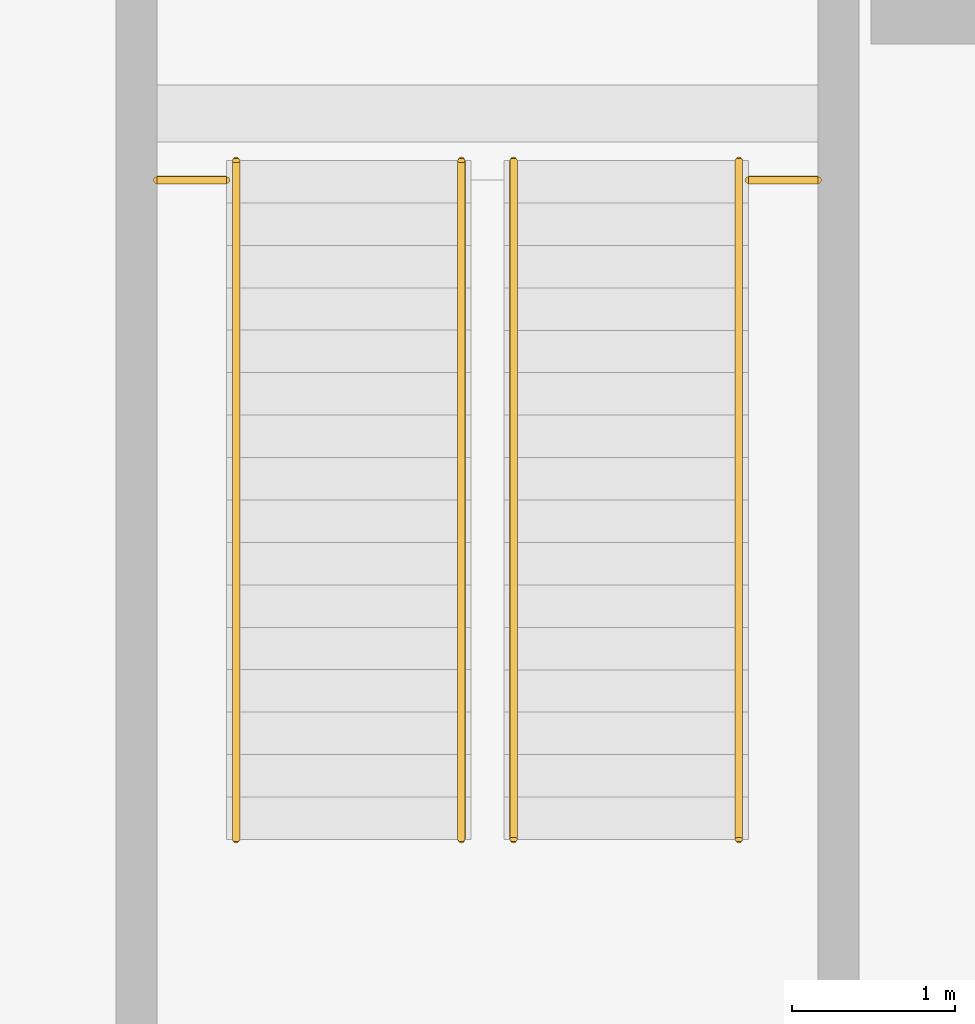
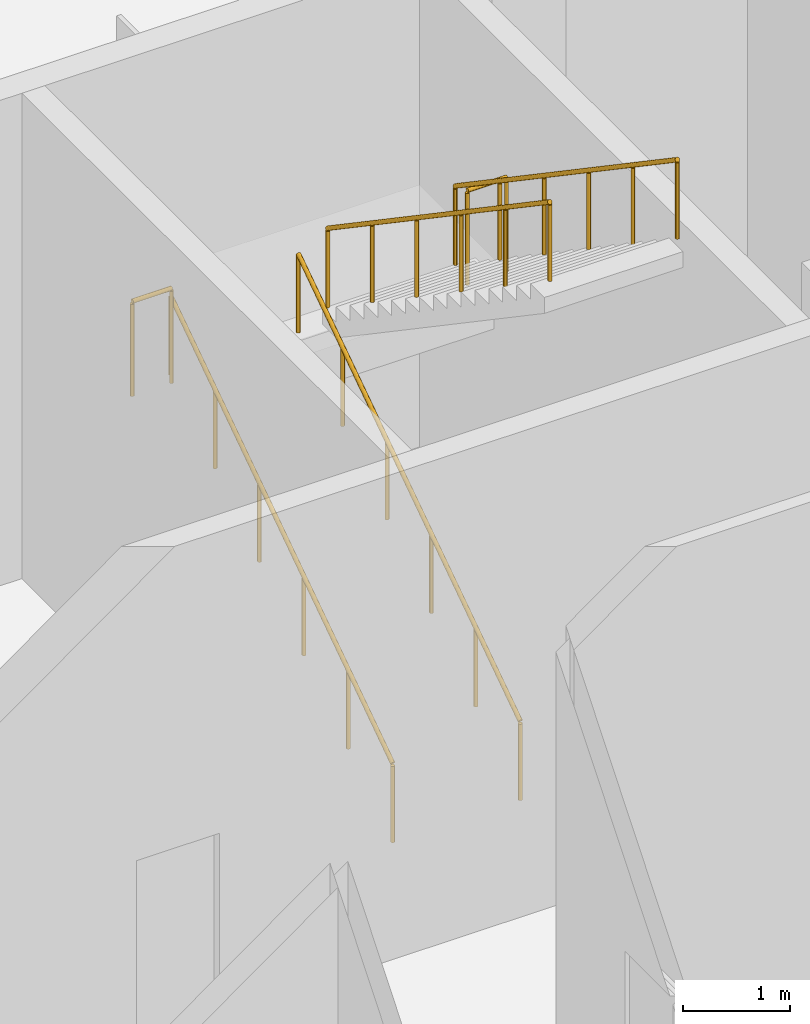
# One storey, part 70 of 71: 6 railings.
"""IFC4 building model written with IfcOpenShell, lengths in metres."""

from ifc_helpers import new_model, si_unit, direction, frame, origin, origin_2d, place, context, subcontext, project, spatial, circle, extrude, material, type_object, element, save


model = new_model("IFC4")

# Units and contexts
model_context = context("Model", 3, precision=1e-05, world=origin(), true_north=direction((0.0, 1.0)))
body_context = subcontext(model_context, "Body", "Model", "MODEL_VIEW")
ifc_project = project(units=[si_unit("LENGTHUNIT", "METRE"), si_unit("AREAUNIT", "SQUARE_METRE"), si_unit("VOLUMEUNIT", "CUBIC_METRE"), si_unit("PLANEANGLEUNIT", "RADIAN"), si_unit("MASSUNIT", "GRAM", prefix="KILO")], contexts=[model_context])

# Site, building, storey
site_placement = place(None, origin())
site = spatial("IfcSite", under=ifc_project, at=site_placement, CompositionType="ELEMENT")
building_placement = place(site_placement, origin())
building = spatial("IfcBuilding", under=site, at=building_placement, Name="Basin Gate Institute", CompositionType="ELEMENT")
storey_placement = place(building_placement, origin())
storey = spatial("IfcBuildingStorey", under=building, at=storey_placement, Name="L00", CompositionType="ELEMENT", Elevation=0.0)

# Railings
ifc_material_1 = material(Name="Stainless steel tube and glass infill", Category="steel")
railing_type_1 = type_object("IfcRailingType", Name="Block railing 1100", PredefinedType="GUARDRAIL", material=ifc_material_1)
for number, where, name in (
    (1, (139.625, 105.1650390625, 3.0), "Guard stair landing ST-C5 L00"),
    (2, (143.25, 105.1650390625, 3.0), "Guard stair landing ST-C5 L00"),
):
    element("IfcRailing", number, at=place(storey_placement, frame(where)), inside=storey, type_object=railing_type_1, material=ifc_material_1, Name=name, PredefinedType="GUARDRAIL", context=body_context, shape_type="SweptSolid", body=[
        extrude(circle(Radius=0.02392578125, at=origin_2d()), frame((0.0, 0.0, 1.076171875), z_axis=(1.0, 0.0, 0.0), x_axis=(0.0, 1.0, 0.0)), (0.0, 0.0, 1.0), 0.425048828125),
        extrude(circle(Radius=0.02099609375, at=origin_2d()), origin(), (0.0, 0.0, 1.0), 1.052001953125),
        extrude(circle(Radius=0.02099609375, at=origin_2d()), frame((0.425048828125, 0.0, 0.0)), (0.0, 0.0, 1.0), 1.052001953125),
    ])
ifc_material_2 = material(Name="Stainless steel tube and glass infill", Category="steel")
railing_type_2 = type_object("IfcRailingType", Name="Block railing 920", PredefinedType="HANDRAIL", material=ifc_material_2)
for number, where, name in (
    (3, (140.110107421875, 101.125, 0.176513671875), "Handrail ST-C5 flight 1"),
    (4, (141.489990234375, 101.125, 0.176513671875), "Handrail ST-C5 flight 1"),
):
    element("IfcRailing", number, at=place(storey_placement, frame(where)), inside=storey, type_object=railing_type_2, material=ifc_material_2, Name=name, PredefinedType="HANDRAIL", context=body_context, shape_type="SweptSolid", body=[
        extrude(circle(Radius=0.02392578125, at=origin_2d()), frame((0.0, 0.0, 0.89599609375), z_axis=(0.0, 0.827412111076, 0.561595226515), x_axis=(-1.0, 0.0, 0.0)), (0.0, 0.0, 1.0), 5.027587890625),
        extrude(circle(Radius=0.02099609375, at=origin_2d()), origin(), (0.0, 0.0, 1.0), 0.871826171875),
        extrude(circle(Radius=0.02099609375, at=origin_2d()), frame((0.0, 0.83203125, 0.564697265625)), (0.0, 0.0, 1.0), 0.871826171875),
        extrude(circle(Radius=0.02099609375, at=origin_2d()), frame((0.0, 1.6640625, 1.12939453125)), (0.0, 0.0, 1.0), 0.871826171875),
        extrude(circle(Radius=0.02099609375, at=origin_2d()), frame((0.0, 2.495849609375, 1.694091796875)), (0.0, 0.0, 1.0), 0.871826171875),
        extrude(circle(Radius=0.02099609375, at=origin_2d()), frame((0.0, 3.327880859375, 2.2587890625)), (0.0, 0.0, 1.0), 0.871826171875),
        extrude(circle(Radius=0.02099609375, at=origin_2d()), frame((0.0, 4.159912109375, 2.823486328125)), (0.0, 0.0, 1.0), 0.871826171875),
    ])
for number, where, name in (
    (5, (141.81005859375, 105.284912109375, 3.176513671875), "Handrail ST-C5 flight 2"),
    (6, (143.18994140625, 105.284912109375, 3.176513671875), "Handrail ST-C5 flight 2"),
):
    element("IfcRailing", number, at=place(storey_placement, frame(where)), inside=storey, type_object=railing_type_2, material=ifc_material_2, Name=name, PredefinedType="HANDRAIL", context=body_context, shape_type="SweptSolid", body=[
        extrude(circle(Radius=0.02392578125, at=origin_2d()), frame((0.0, 0.0, 0.89599609375), z_axis=(0.0, -0.827412111076, 0.561595226515), x_axis=(1.0, 0.0, 0.0)), (0.0, 0.0, 1.0), 5.027587890625),
        extrude(circle(Radius=0.02099609375, at=origin_2d()), origin(), (0.0, 0.0, 1.0), 0.871826171875),
        extrude(circle(Radius=0.02099609375, at=origin_2d()), frame((0.0, -0.83203125, 0.564697265625)), (0.0, 0.0, 1.0), 0.871826171875),
        extrude(circle(Radius=0.02099609375, at=origin_2d()), frame((0.0, -1.6640625, 1.12939453125)), (0.0, 0.0, 1.0), 0.871826171875),
        extrude(circle(Radius=0.02099609375, at=origin_2d()), frame((0.0, -2.495849609375, 1.694091796875)), (0.0, 0.0, 1.0), 0.871826171875),
        extrude(circle(Radius=0.02099609375, at=origin_2d()), frame((0.0, -3.327880859375, 2.2587890625)), (0.0, 0.0, 1.0), 0.871826171875),
        extrude(circle(Radius=0.02099609375, at=origin_2d()), frame((0.0, -4.159912109375, 2.823486328125)), (0.0, 0.0, 1.0), 0.871826171875),
    ])

save(model, "model.ifc")
